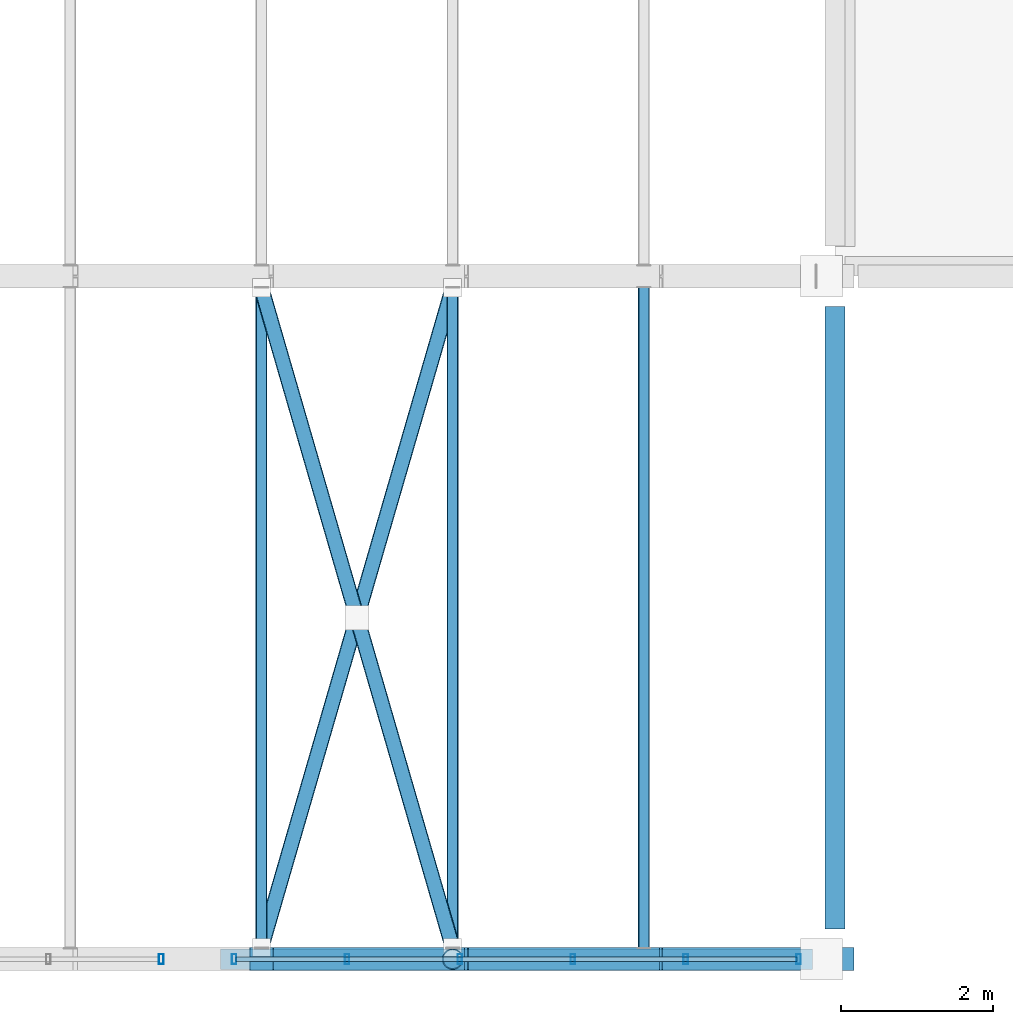
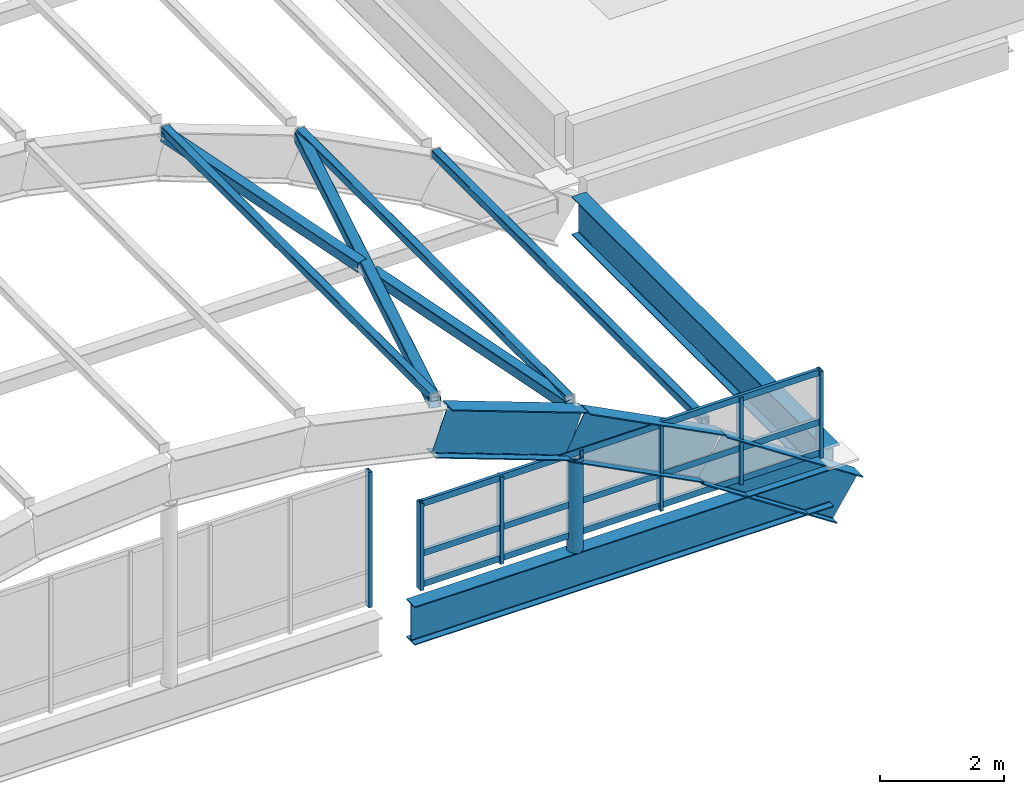
# One storey, part 11 of 130: 17 members, 5 beams, 2 elements without a shape of their own.
"""IFC4 building model written with IfcOpenShell, lengths in metres."""

from ifc_helpers import new_model, si_unit, direction, frame, origin, origin_2d, place, context, subcontext, project, spatial, hollow_rectangle, hollow_circle, i_section, extrude, material, layer, layer_set, material_profile, profile_set, type_object, element, aggregate, save


model = new_model("IFC4")

# Units and contexts
model_context = context("Model", 3, precision=1e-05, world=origin(), true_north=direction((0.0, 1.0)))
body_context = subcontext(model_context, "Body", "Model", "MODEL_VIEW")
ifc_project = project(units=[si_unit("LENGTHUNIT", "METRE"), si_unit("AREAUNIT", "SQUARE_METRE"), si_unit("VOLUMEUNIT", "CUBIC_METRE"), si_unit("PLANEANGLEUNIT", "RADIAN"), si_unit("MASSUNIT", "GRAM", prefix="KILO")], contexts=[model_context])

# Site, building, storey
site_placement = place(None, origin())
site = spatial("IfcSite", under=ifc_project, at=site_placement, CompositionType="ELEMENT")
building_placement = place(site_placement, origin())
building = spatial("IfcBuilding", under=site, at=building_placement, Name="Vireocrest Preparatory School", CompositionType="ELEMENT")
storey_placement = place(building_placement, frame((0.0, 0.0, 9.0)))
storey = spatial("IfcBuildingStorey", under=building, at=storey_placement, Name="L02", CompositionType="ELEMENT", Elevation=9.0)

# Members
ifc_material_1 = material(Name="Structural steel ASTM A500 Grade C", Category="steel")
ifc_material_profile_1 = material_profile(ifc_material_1, hollow_rectangle(XDim=0.15234375, YDim=0.15234375, WallThickness=0.0087890625, InnerFilletRadius=0.0087890625, OuterFilletRadius=0.017822265625, at=origin_2d()), Name="HSS6X6X3/8")
ifc_profile_set_1 = profile_set([ifc_material_profile_1], Name="Structural steel ASTM A500 Grade C")
member_type_1 = type_object("IfcMemberType", Name="Barrel Vault Steel Purlin HSS6X6X3/8", PredefinedType="PURLIN", material=ifc_profile_set_1)
for number, where, z_axis, x_axis, name in (
    (1, (17.639892578125, 9.1474609375, 3.552001953125), (0.0, 1.0, 0.0), (-1.0, 0.0, 0.0), "Sports Hall Barrel Vault Roof Purlin 1-8"),
    (2, (20.159912109375, 9.1474609375, 2.620849609375), (0.0, 1.0, 0.0), (-1.0, 0.0, 0.0), "Sports Hall Barrel Vault Roof Purlin 1-9"),
    (3, (22.679931640625, 9.1474609375, 1.32177734375), (0.0, 1.0, 0.0), (-1.0, 0.0, 0.0), "Sports Hall Barrel Vault Roof Purlin 1-10"),
):
    element("IfcMember", number, at=place(storey_placement, frame(where, z_axis=z_axis, x_axis=x_axis)), inside=storey, type_object=member_type_1, Name=name, PredefinedType="PURLIN", context=body_context, shape_type="SweptSolid", body=[
        extrude(hollow_rectangle(XDim=0.15234375, YDim=0.15234375, WallThickness=0.0087890625, InnerFilletRadius=0.0087890625, OuterFilletRadius=0.017822265625, at=origin_2d()), origin(), (0.0, 0.0, 1.0), 8.705078125),
    ])

# Curtain wall, member
ifc_material_2 = material(Name="Thermally broken aluminium EN AW-6063-T6", Category="aluminium")
ifc_layer_1 = layer(ifc_material_2, 0.179931640625)
ifc_layer_set_1 = layer_set([ifc_layer_1], Name="Thermally broken aluminium EN AW-6063-T6")
curtain_wall_type_1 = type_object("IfcCurtainWallType", Name="Vault Centre Gable Clerestory 8400x3800", PredefinedType="USERDEFINED", material=ifc_layer_set_1)
curtain_wall_1_placement = place(storey_placement, origin())
curtain_wall_1 = element("IfcCurtainWall", 4, at=curtain_wall_1_placement, inside=storey, type_object=curtain_wall_type_1, Name="Curtain Wall CW14 CW_L02_CW14_0088_0090_090", ObjectType="CURTAIN WALL", PredefinedType="USERDEFINED")
ifc_material_profile_2 = material_profile(ifc_material_2, hollow_rectangle(XDim=0.06005859375, YDim=0.135009765625, WallThickness=0.00390625, at=origin_2d()), Name="ALU 60x135x4")
ifc_profile_set_2 = profile_set([ifc_material_profile_2], Name="Thermally broken aluminium EN AW-6063-T6")
member_type_2 = type_object("IfcMemberType", Name="CW Clerestory Mullion 60x135x4", PredefinedType="MULLION", material=ifc_profile_set_2)
member_1_placement = place(storey_placement, frame((16.320068359375, 9.0, 0.0), z_axis=(0.0, 0.0, 1.0), x_axis=(1.0, 0.0, 0.0)))
member_1 = element("IfcMember", 5, at=member_1_placement, type_object=member_type_2, Name="CW Mullion ML6 CW_L02_CW14_0088_0090_090-6", PredefinedType="MULLION", context=body_context, shape_type="SweptSolid", body=[
    extrude(hollow_rectangle(XDim=0.06005859375, YDim=0.135009765625, WallThickness=0.00390625, at=origin_2d()), origin(), (0.0, 0.0, 1.0), 2.6650390625),
])
aggregate(curtain_wall_1, [member_1])

# Curtain wall, members
ifc_layer_2 = layer(ifc_material_2, 0.179931640625)
ifc_layer_set_2 = layer_set([ifc_layer_2], Name="Thermally broken aluminium EN AW-6063-T6")
curtain_wall_type_2 = type_object("IfcCurtainWallType", Name="Vault Gable Clerestory 8400x2600", PredefinedType="USERDEFINED", material=ifc_layer_set_2)
curtain_wall_2_placement = place(storey_placement, origin())
curtain_wall_2 = element("IfcCurtainWall", 6, at=curtain_wall_2_placement, inside=storey, type_object=curtain_wall_type_2, Name="Curtain Wall CW13 CW_L02_CW13_0172_0090_090", ObjectType="CURTAIN WALL", PredefinedType="USERDEFINED")
member_2_placement = place(storey_placement, frame((17.280029296875, 9.0, 0.0), z_axis=(0.0, 0.0, 1.0), x_axis=(1.0, 0.0, 0.0)))
member_2 = element("IfcMember", 7, at=member_2_placement, type_object=member_type_2, Name="CW Mullion ML6 CW_L02_CW13_0172_0090_090-1", PredefinedType="MULLION", context=body_context, shape_type="SweptSolid", body=[
    extrude(hollow_rectangle(XDim=0.06005859375, YDim=0.135009765625, WallThickness=0.00390625, at=origin_2d()), origin(), (0.0, 0.0, 1.0), 1.715087890625),
])
member_3_placement = place(storey_placement, frame((18.76806640625, 9.0, 0.0), z_axis=(0.0, 0.0, 1.0), x_axis=(1.0, 0.0, 0.0)))
member_3 = element("IfcMember", 8, at=member_3_placement, type_object=member_type_2, Name="CW Mullion ML6 CW_L02_CW13_0172_0090_090-2", PredefinedType="MULLION", context=body_context, shape_type="SweptSolid", body=[
    extrude(hollow_rectangle(XDim=0.06005859375, YDim=0.135009765625, WallThickness=0.00390625, at=origin_2d()), origin(), (0.0, 0.0, 1.0), 1.715087890625),
])
member_4_placement = place(storey_placement, frame((20.256103515625, 9.0, 0.0), z_axis=(0.0, 0.0, 1.0), x_axis=(1.0, 0.0, 0.0)))
member_4 = element("IfcMember", 9, at=member_4_placement, type_object=member_type_2, Name="CW Mullion ML6 CW_L02_CW13_0172_0090_090-3", PredefinedType="MULLION", context=body_context, shape_type="SweptSolid", body=[
    extrude(hollow_rectangle(XDim=0.06005859375, YDim=0.135009765625, WallThickness=0.00390625, at=origin_2d()), origin(), (0.0, 0.0, 1.0), 1.715087890625),
])
member_5_placement = place(storey_placement, frame((21.743896484375, 9.0, 0.0), z_axis=(0.0, 0.0, 1.0), x_axis=(1.0, 0.0, 0.0)))
member_5 = element("IfcMember", 10, at=member_5_placement, type_object=member_type_2, Name="CW Mullion ML6 CW_L02_CW13_0172_0090_090-4", PredefinedType="MULLION", context=body_context, shape_type="SweptSolid", body=[
    extrude(hollow_rectangle(XDim=0.06005859375, YDim=0.135009765625, WallThickness=0.00390625, at=origin_2d()), origin(), (0.0, 0.0, 1.0), 1.715087890625),
])
member_6_placement = place(storey_placement, frame((23.23193359375, 9.0, 0.0), z_axis=(0.0, 0.0, 1.0), x_axis=(1.0, 0.0, 0.0)))
member_6 = element("IfcMember", 11, at=member_6_placement, type_object=member_type_2, Name="CW Mullion ML6 CW_L02_CW13_0172_0090_090-5", PredefinedType="MULLION", context=body_context, shape_type="SweptSolid", body=[
    extrude(hollow_rectangle(XDim=0.06005859375, YDim=0.135009765625, WallThickness=0.00390625, at=origin_2d()), origin(), (0.0, 0.0, 1.0), 1.715087890625),
])
member_7_placement = place(storey_placement, frame((24.719970703125, 9.0, 0.0), z_axis=(0.0, 0.0, 1.0), x_axis=(1.0, 0.0, 0.0)))
member_7 = element("IfcMember", 12, at=member_7_placement, type_object=member_type_2, Name="CW Mullion ML6 CW_L02_CW13_0172_0090_090-6", PredefinedType="MULLION", context=body_context, shape_type="SweptSolid", body=[
    extrude(hollow_rectangle(XDim=0.06005859375, YDim=0.135009765625, WallThickness=0.00390625, at=origin_2d()), origin(), (0.0, 0.0, 1.0), 1.715087890625),
])
ifc_material_profile_3 = material_profile(ifc_material_2, hollow_rectangle(XDim=0.06005859375, YDim=0.125, WallThickness=0.00390625, at=origin_2d()), Name="ALU 60x125x4")
ifc_profile_set_3 = profile_set([ifc_material_profile_3], Name="Thermally broken aluminium EN AW-6063-T6")
member_type_3 = type_object("IfcMemberType", Name="CW Clerestory Transom 60x125x4", PredefinedType="USERDEFINED", material=ifc_profile_set_3)
member_8_placement = place(storey_placement, frame((17.304931640625, 9.0, 0.094970703125), z_axis=(1.0, 0.0, 0.0), x_axis=(0.0, 1.0, 0.0)))
member_8 = element("IfcMember", 13, at=member_8_placement, type_object=member_type_3, Name="CW Transom TR6 CW_L02_CW13_0172_0090_090-1", ObjectType="TRANSOM", PredefinedType="USERDEFINED", context=body_context, shape_type="SweptSolid", body=[
    extrude(hollow_rectangle(XDim=0.06005859375, YDim=0.125, WallThickness=0.00390625, at=origin_2d()), origin(), (0.0, 0.0, 1.0), 7.39013671875),
])
member_9_placement = place(storey_placement, frame((17.304931640625, 9.0, 0.699951171875), z_axis=(1.0, 0.0, 0.0), x_axis=(0.0, 1.0, 0.0)))
member_9 = element("IfcMember", 14, at=member_9_placement, type_object=member_type_3, Name="CW Transom TR6 CW_L02_CW13_0172_0090_090-2", ObjectType="TRANSOM", PredefinedType="USERDEFINED", context=body_context, shape_type="SweptSolid", body=[
    extrude(hollow_rectangle(XDim=0.06005859375, YDim=0.125, WallThickness=0.00390625, at=origin_2d()), origin(), (0.0, 0.0, 1.0), 7.39013671875),
])
member_10_placement = place(storey_placement, frame((17.304931640625, 9.0, 1.675048828125), z_axis=(1.0, 0.0, 0.0), x_axis=(0.0, 1.0, 0.0)))
member_10 = element("IfcMember", 15, at=member_10_placement, type_object=member_type_3, Name="CW Transom TR6 CW_L02_CW13_0172_0090_090-3", ObjectType="TRANSOM", PredefinedType="USERDEFINED", context=body_context, shape_type="SweptSolid", body=[
    extrude(hollow_rectangle(XDim=0.06005859375, YDim=0.125, WallThickness=0.00390625, at=origin_2d()), origin(), (0.0, 0.0, 1.0), 7.39013671875),
])
aggregate(curtain_wall_2, [member_2, member_3, member_4, member_5, member_6, member_7, member_8, member_9, member_10])

# Beams
ifc_material_3 = material(Name="Structural steel ASTM A992 Grade 50", Category="steel")
ifc_material_profile_4 = material_profile(ifc_material_3, i_section(OverallWidth=0.304931640625, OverallDepth=0.904052734375, WebThickness=0.01513671875, FlangeThickness=0.02001953125, FilletRadius=0.02392578125, at=origin_2d()), Name="W36X135")
ifc_profile_set_4 = profile_set([ifc_material_profile_4], Name="Structural steel ASTM A992 Grade 50")
beam_type_1 = type_object("IfcBeamType", Name="Sports Hall Barrel Vault Arch Rib W36X135", PredefinedType="BEAM", material=ifc_profile_set_4)
beam_1_placement = place(storey_placement, frame((17.639892578125, 9.0, 3.006591796875), z_axis=(0.938013768211, 0.0, -0.346597995733), x_axis=(0.0, 1.0, 0.0)))
element("IfcBeam", 16, at=beam_1_placement, inside=storey, type_object=beam_type_1, Name="Sports Hall Barrel Vault Roof Arch Rib 1 Seg 8", PredefinedType="BEAM", context=body_context, shape_type="SweptSolid", body=[
    extrude(i_section(OverallWidth=0.304931640625, OverallDepth=0.904052734375, WebThickness=0.01513671875, FlangeThickness=0.02001953125, FilletRadius=0.02392578125, at=origin_2d()), origin(), (0.0, 0.0, 1.0), 2.6865234375),
])
beam_2_placement = place(storey_placement, frame((20.159912109375, 9.0, 2.049072265625), z_axis=(0.888848104135, 0.0, -0.458201972689), x_axis=(0.0, 1.0, 0.0)))
element("IfcBeam", 17, at=beam_2_placement, inside=storey, type_object=beam_type_1, Name="Sports Hall Barrel Vault Roof Arch Rib 1 Seg 9", PredefinedType="BEAM", context=body_context, shape_type="SweptSolid", body=[
    extrude(i_section(OverallWidth=0.304931640625, OverallDepth=0.904052734375, WebThickness=0.01513671875, FlangeThickness=0.02001953125, FilletRadius=0.02392578125, at=origin_2d()), origin(), (0.0, 0.0, 1.0), 2.835205078125),
])
beam_3_placement = place(storey_placement, frame((22.679931640625, 9.0, 0.716796875), z_axis=(0.835706541366, 0.0, -0.54917627108), x_axis=(0.0, 1.0, 0.0)))
element("IfcBeam", 18, at=beam_3_placement, inside=storey, type_object=beam_type_1, Name="Sports Hall Barrel Vault Roof Arch Rib 1 Seg 10", PredefinedType="BEAM", context=body_context, shape_type="SweptSolid", body=[
    extrude(i_section(OverallWidth=0.304931640625, OverallDepth=0.904052734375, WebThickness=0.01513671875, FlangeThickness=0.02001953125, FilletRadius=0.02392578125, at=origin_2d()), origin(), (0.0, 0.0, 1.0), 3.015380859375),
])
ifc_material_profile_5 = material_profile(ifc_material_3, i_section(OverallWidth=0.26708984375, OverallDepth=0.758056640625, WebThickness=0.013916015625, FlangeThickness=0.019287109375, FilletRadius=0.01904296875, at=origin_2d()), Name="W30X108")
ifc_profile_set_5 = profile_set([ifc_material_profile_5], Name="Structural steel ASTM A992 Grade 50")
beam_type_2 = type_object("IfcBeamType", Name="Sports Hall Vault Ring Beam W30X108", PredefinedType="BEAM", material=ifc_profile_set_5)
beam_4_placement = place(storey_placement, frame((25.199951171875, 9.39990234375, -0.59912109375), z_axis=(0.0, 1.0, 0.0), x_axis=(-1.0, 0.0, 0.0)))
element("IfcBeam", 19, at=beam_4_placement, inside=storey, type_object=beam_type_2, Name="Sports Hall Barrel Vault Roof Ring Beam E 9.0-18.0", PredefinedType="BEAM", context=body_context, shape_type="SweptSolid", body=[
    extrude(i_section(OverallWidth=0.26708984375, OverallDepth=0.758056640625, WebThickness=0.013916015625, FlangeThickness=0.019287109375, FilletRadius=0.01904296875, at=origin_2d()), origin(), (0.0, 0.0, 1.0), 8.2001953125),
])
beam_5_placement = place(storey_placement, frame((17.10009765625, 9.0, -0.59912109375), z_axis=(1.0, 0.0, 0.0), x_axis=(0.0, 1.0, 0.0)))
element("IfcBeam", 20, at=beam_5_placement, inside=storey, type_object=beam_type_2, Name="Sports Hall Barrel Vault Roof Gable Ring Beam S-3", PredefinedType="BEAM", context=body_context, shape_type="SweptSolid", body=[
    extrude(i_section(OverallWidth=0.26708984375, OverallDepth=0.758056640625, WebThickness=0.013916015625, FlangeThickness=0.019287109375, FilletRadius=0.01904296875, at=origin_2d()), origin(), (0.0, 0.0, 1.0), 7.7998046875),
])

# Members
ifc_material_profile_6 = material_profile(ifc_material_1, hollow_rectangle(XDim=0.203125, YDim=0.203125, WallThickness=0.0087890625, InnerFilletRadius=0.0087890625, OuterFilletRadius=0.017822265625, at=origin_2d()), Name="HSS8X8X3/8")
ifc_profile_set_6 = profile_set([ifc_material_profile_6], Name="Structural steel ASTM A500 Grade C")
member_type_4 = type_object("IfcMemberType", Name="Vault Roof Wind X-Brace HSS8X8X3/8", PredefinedType="BRACE", material=ifc_profile_set_6)
member_11_placement = place(storey_placement, frame((17.639892578125, 9.152587890625, 3.44970703125), z_axis=(0.276947425902, 0.955551794814, -0.101098420926), x_axis=(-0.960472845484, 0.278373693241, 0.0)))
element("IfcMember", 21, at=member_11_placement, inside=storey, type_object=member_type_4, Name="Sports Hall Barrel Vault Roof Roof Wind Brace 1-8", PredefinedType="BRACE", context=body_context, shape_type="SweptSolid", body=[
    extrude(hollow_rectangle(XDim=0.203125, YDim=0.203125, WallThickness=0.0087890625, InnerFilletRadius=0.0087890625, OuterFilletRadius=0.017822265625, at=origin_2d()), origin(), (0.0, 0.0, 1.0), 9.099365234375),
])
for number, where, z_axis, x_axis, name in (
    (22, (17.639892578125, 17.847412109375, 3.44970703125), (0.276974348115, -0.955544928936, -0.10108956064), (0.960465075054, 0.278400502158, 0.0), "Sports Hall Barrel Vault Roof Split Roof X-Brace 1-8-1"),
    (23, (18.93603515625, 13.375732421875, 2.976806640625), (0.276921797633, -0.955554210145, -0.101145783257), (0.960479920869, 0.278349279877, 0.0), "Sports Hall Barrel Vault Roof Split Roof X-Brace 1-8-2"),
):
    element("IfcMember", number, at=place(storey_placement, frame(where, z_axis=z_axis, x_axis=x_axis)), inside=storey, type_object=member_type_4, Name=name, PredefinedType="BRACE", context=body_context, shape_type="SweptSolid", body=[
        extrude(hollow_rectangle(XDim=0.203125, YDim=0.203125, WallThickness=0.0087890625, InnerFilletRadius=0.0087890625, OuterFilletRadius=0.017822265625, at=origin_2d()), origin(), (0.0, 0.0, 1.0), 4.419677734375),
    ])
ifc_material_4 = material(Name="Painted white steel ASTM A500 Grade C", Category="steel")
ifc_material_profile_7 = material_profile(ifc_material_4, hollow_circle(Radius=0.136474609375, WallThickness=0.0126953125, at=origin_2d()), Name="HSS10.750X0.500")
ifc_profile_set_7 = profile_set([ifc_material_profile_7], Name="Painted white steel ASTM A500 Grade C")
member_type_5 = type_object("IfcMemberType", Name="White Steel Clerestory Strut HSS10.750X0.500", PredefinedType="USERDEFINED", material=ifc_profile_set_7)
member_12_placement = place(storey_placement, frame((20.159912109375, 9.0, -0.239990234375), z_axis=(0.0, 0.0, 1.0), x_axis=(1.0, 0.0, 0.0)))
element("IfcMember", 24, at=member_12_placement, inside=storey, type_object=member_type_5, Name="Sports Hall Barrel Vault Roof Gable Mullion Post 1-8", ObjectType="STRUT", PredefinedType="USERDEFINED", context=body_context, shape_type="SweptSolid", body=[
    extrude(hollow_circle(Radius=0.136474609375, WallThickness=0.0126953125, at=origin_2d()), origin(), (0.0, 0.0, 1.0), 1.85693359375),
])

save(model, "model.ifc")
